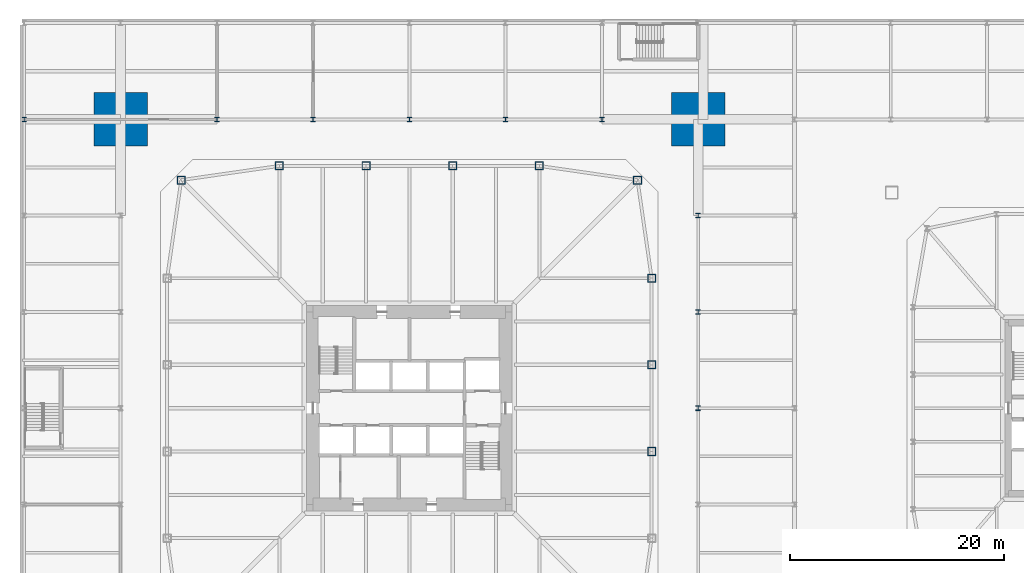
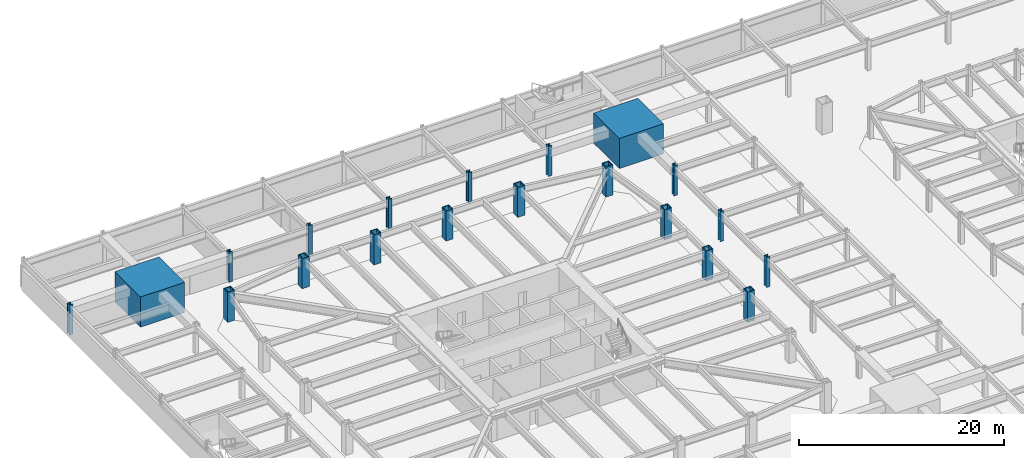
# One storey, part 2 of 17: 20 columns.
"""IFC4 building model written with IfcOpenShell, lengths in metres."""

import ifcopenshell
import ifcopenshell.guid

model = None  # the IFC model being written
_history = None  # IfcOwnerHistory: only IFC2X3 demands one
_inside = {}  # id of a spatial element -> (the spatial element, [elements in it])
_under = {}  # id of a project, library or spatial element -> (it, [spatial elements below it])
_declared = {}  # id of a project -> (the project, [libraries it declares])
_typed = {}  # id of a type object -> (the type object, [elements of that type])
_made_of = {}  # id of a material, layer set ... -> (it, [elements and type objects made of it])


def new_model(schema):
    """Start an empty IFC model of exactly this schema.

    Asked for "IFC4X3", IfcOpenShell would pick the latest addendum, in which some entities
    have other attributes; the version numbers below select the first issue.
    IFC2X3 requires an IfcOwnerHistory on every rooted entity: one is made here for all.
    """
    global model, _history
    if schema == "IFC4X3":
        model = ifcopenshell.file(schema_version=(4, 3, 0, 0))
    else:
        model = ifcopenshell.file(schema=schema)
    _inside.clear()
    _under.clear()
    _declared.clear()
    _typed.clear()
    _made_of.clear()
    _history = None
    if model.schema == "IFC2X3":
        org = make("IfcOrganization", Name="unknown")
        user = make(
            "IfcPersonAndOrganization",
            ThePerson=make("IfcPerson", FamilyName="unknown"),
            TheOrganization=org,
        )
        app = make(
            "IfcApplication",
            ApplicationDeveloper=org,
            Version="unknown",
            ApplicationFullName="unknown",
            ApplicationIdentifier="unknown",
        )
        _history = make(
            "IfcOwnerHistory",
            OwningUser=user,
            OwningApplication=app,
            ChangeAction="ADDED",
            CreationDate=0,
        )
    return model


def make(cls, **values):
    """One entity of the class cls with the attributes given. An attribute that is None is left unset."""
    return model.create_entity(
        cls, **{name: value for name, value in values.items() if value is not None}
    )


def rooted(cls, **values):
    """An entity with a GlobalId (a new one), such as an element, a storey or a relation."""
    return make(cls, GlobalId=ifcopenshell.guid.new(), OwnerHistory=_history, **values)


def si_unit(unit_type, name, prefix=None):
    """IfcSIUnit, for example si_unit("LENGTHUNIT", "METRE", prefix="MILLI")."""
    return make("IfcSIUnit", UnitType=unit_type, Prefix=prefix, Name=name)


def assignment(units):
    """IfcUnitAssignment: the units of a project."""
    return None if units is None else make("IfcUnitAssignment", Units=units)


def point(xyz):
    """IfcCartesianPoint."""
    return None if xyz is None else make("IfcCartesianPoint", Coordinates=xyz)


def direction(xyz):
    """IfcDirection."""
    return None if xyz is None else make("IfcDirection", DirectionRatios=xyz)


def frame(location, z_axis=None, x_axis=None):
    """IfcAxis2Placement3D, a coordinate frame: its origin and axes. An axis left out is left unset."""
    return make(
        "IfcAxis2Placement3D",
        Location=point(location),
        Axis=direction(z_axis),
        RefDirection=direction(x_axis),
    )


def frame_2d(location, x_axis=None):
    """IfcAxis2Placement2D, a coordinate frame in the plane: its origin and x axis."""
    return make(
        "IfcAxis2Placement2D", Location=point(location), RefDirection=direction(x_axis)
    )


def origin():
    """The frame at (0, 0, 0) with its axes left unset."""
    return frame((0.0, 0.0, 0.0))


def origin_2d():
    """The frame at (0, 0) in the plane with its x axis left unset."""
    return frame_2d((0.0, 0.0))


def place(relative_to, where):
    """IfcLocalPlacement: puts the frame where relative to a parent placement (None: the world)."""
    return make(
        "IfcLocalPlacement", PlacementRelTo=relative_to, RelativePlacement=where
    )


def context(
    kind, dimensions, precision=None, world=None, true_north=None, identifier=None
):
    """IfcGeometricRepresentationContext, for example the 3D "Model" context."""
    return make(
        "IfcGeometricRepresentationContext",
        ContextIdentifier=identifier,
        ContextType=kind,
        CoordinateSpaceDimension=dimensions,
        Precision=precision,
        WorldCoordinateSystem=world,
        TrueNorth=true_north,
    )


def subcontext(parent, identifier, kind, view, scale=None):
    """IfcGeometricRepresentationSubContext, for example "Body" below "Model"."""
    return make(
        "IfcGeometricRepresentationSubContext",
        ContextIdentifier=identifier,
        ContextType=kind,
        ParentContext=parent,
        TargetScale=scale,
        TargetView=view,
    )


def project(units=None, contexts=None):
    """IfcProject with its units and contexts."""
    return rooted(
        "IfcProject",
        Name="project",
        RepresentationContexts=contexts,
        UnitsInContext=assignment(units),
    )


def spatial(cls, under=None, at=None, **own):
    """A site, building, storey or space (cls), placed at a placement, below another one or the project."""
    s = rooted(cls, ObjectPlacement=at, **own)
    if under is not None:
        _under.setdefault(under.id(), (under, []))[1].append(s)
    return s


def profile(cls, at=None, kind="AREA", **sizes):
    """A parametric profile (cls). Its sizes go by their IFC names, for example OverallWidth=200.0."""
    return make(cls, ProfileType=kind, Position=at, **sizes)


def rectangle(**sizes):
    """IfcRectangleProfileDef."""
    return profile("IfcRectangleProfileDef", **sizes)


def hollow_rectangle(**sizes):
    """IfcRectangleHollowProfileDef."""
    return profile("IfcRectangleHollowProfileDef", **sizes)


def i_section(**sizes):
    """IfcIShapeProfileDef."""
    return profile("IfcIShapeProfileDef", **sizes)


def extrude(swept, where, along, depth):
    """IfcExtrudedAreaSolid: the profile swept, set in the frame where, extruded along a direction by depth."""
    return make(
        "IfcExtrudedAreaSolid",
        SweptArea=swept,
        Position=where,
        ExtrudedDirection=direction(along),
        Depth=depth,
    )


def shape(context_of_items, identifier, shape_type, items):
    """IfcShapeRepresentation: the items that make up one representation, for example the "Body"."""
    return make(
        "IfcShapeRepresentation",
        ContextOfItems=context_of_items,
        RepresentationIdentifier=identifier,
        RepresentationType=shape_type,
        Items=items,
    )


def material(Name=None, Category=None):
    """IfcMaterial."""
    return make("IfcMaterial", Name=Name, Category=Category)


def material_profile(
    of_material, cross_section, Name=None, Category=None, Priority=None
):
    """IfcMaterialProfile: a cross section and its material."""
    return make(
        "IfcMaterialProfile",
        Name=Name,
        Material=of_material,
        Profile=cross_section,
        Priority=Priority,
        Category=Category,
    )


def profile_set(profiles, Name=None, composite=None):
    """IfcMaterialProfileSet."""
    return make(
        "IfcMaterialProfileSet",
        Name=Name,
        MaterialProfiles=profiles,
        CompositeProfile=composite,
    )


def made_of(thing, what):
    """Note that an element or type object is made of a material, layer set ...; save() writes the relation."""
    if what is not None:
        _made_of.setdefault(what.id(), (what, []))[1].append(thing)
    return thing


def type_object(cls, material=None, **own):
    """A type object (cls), such as IfcWallType, which elements share."""
    return made_of(rooted(cls, **own), material)


def element(
    cls,
    number,
    at=None,
    inside=None,
    cuts=None,
    type_object=None,
    material=None,
    context=None,
    identifier="Body",
    shape_type=None,
    held_by="IfcProductDefinitionShape",
    body=None,
    shapes=None,
    **own,
):
    """One element of the class cls, such as IfcWall. Its Tag is "e" and its number.

    at: its placement. inside: the storey or other place that contains it. cuts: it is an
    opening in that element (IfcRelVoidsElement). A single representation is given by context,
    identifier, shape_type and body (its items); several are given by shapes. held_by: the class
    of the entity that holds the representations. save() writes the other relations.
    """
    e = rooted(cls, Tag="e%d" % number, ObjectPlacement=at, **own)
    if body is not None:
        shapes = [shape(context, identifier, shape_type, body)]
    if shapes is not None:
        e.Representation = make(held_by, Representations=shapes)
    if inside is not None:
        _inside.setdefault(inside.id(), (inside, []))[1].append(e)
    if cuts is not None:
        rooted(
            "IfcRelVoidsElement", RelatingBuildingElement=cuts, RelatedOpeningElement=e
        )
    if type_object is not None:
        _typed.setdefault(type_object.id(), (type_object, []))[1].append(e)
    return made_of(e, material)


def aggregate(whole, parts):
    """IfcRelAggregates: a whole, such as a stair, and the parts it consists of."""
    return rooted("IfcRelAggregates", RelatingObject=whole, RelatedObjects=parts)


def save(model, path):
    """Write the relations noted so far, then the file.

    IfcRelAggregates (storeys below a building ...), IfcRelContainedInSpatialStructure (elements
    in a storey), IfcRelDefinesByType, IfcRelAssociatesMaterial and IfcRelDeclares: one each for
    every whole, place, type object, material and project.
    """
    for whole, parts in _under.values():
        aggregate(whole, parts)
    for where, things in _inside.values():
        rooted(
            "IfcRelContainedInSpatialStructure",
            RelatedElements=things,
            RelatingStructure=where,
        )
    for kind, things in _typed.values():
        rooted("IfcRelDefinesByType", RelatedObjects=things, RelatingType=kind)
    for what, things in _made_of.values():
        rooted("IfcRelAssociatesMaterial", RelatedObjects=things, RelatingMaterial=what)
    for by, libraries in _declared.values():
        rooted("IfcRelDeclares", RelatingContext=by, RelatedDefinitions=libraries)
    model.write(path)


model = new_model("IFC4")

# Units and contexts
model_context = context("Model", 3, precision=1e-05, world=origin(), true_north=direction((0.0, 1.0)))
body_context = subcontext(model_context, "Body", "Model", "MODEL_VIEW")
ifc_project = project(units=[si_unit("LENGTHUNIT", "METRE"), si_unit("AREAUNIT", "SQUARE_METRE"), si_unit("VOLUMEUNIT", "CUBIC_METRE"), si_unit("PLANEANGLEUNIT", "RADIAN"), si_unit("MASSUNIT", "GRAM", prefix="KILO")], contexts=[model_context])

# Site, building, storey
site_placement = place(None, origin())
site = spatial("IfcSite", under=ifc_project, at=site_placement, CompositionType="ELEMENT")
building_placement = place(site_placement, origin())
building = spatial("IfcBuilding", under=site, at=building_placement, Name="Iwan Alto Co-Living Towers", CompositionType="ELEMENT")
storey_placement = place(building_placement, frame((0.0, 0.0, -3.60009765625)))
storey = spatial("IfcBuildingStorey", under=building, at=storey_placement, Name="B1", CompositionType="ELEMENT", Elevation=-3.60009765625)

# Columns
ifc_material_1 = material(Name="Steel ASTM A992 Gr 50", Category="steel")
ifc_material_profile_1 = material_profile(ifc_material_1, i_section(OverallWidth=0.411376953125, OverallDepth=0.434326171875, WebThickness=0.035888671875, FlangeThickness=0.057373046875, at=origin_2d()), Name="W14X311")
ifc_profile_set_1 = profile_set([ifc_material_profile_1], Name="Steel ASTM A992 Gr 50")
column_type_1 = type_object("IfcColumnType", Name="PODIUM COLUMN W14X311", PredefinedType="COLUMN", material=ifc_profile_set_1)
for number, where, z_axis, x_axis, name in (
    (1, (-36.0, 27.0, 0.0), (0.0, 0.0, 1.0), (1.0, 0.0, 0.0), "Podium column 1/H B1"),
    (2, (-18.0, 27.0, 0.0), (0.0, 0.0, 1.0), (1.0, 0.0, 0.0), "Podium column 3/H B1"),
    (3, (-9.0, 27.0, 0.0), (0.0, 0.0, 1.0), (1.0, 0.0, 0.0), "Podium column 4/H B1"),
    (4, (0.0, 27.0, 0.0), (0.0, 0.0, 1.0), (1.0, 0.0, 0.0), "Podium column 5/H B1"),
    (5, (9.0, 27.0, 0.0), (0.0, 0.0, 1.0), (1.0, 0.0, 0.0), "Podium column 6/H B1"),
    (6, (18.0, 27.0, 0.0), (0.0, 0.0, 1.0), (1.0, 0.0, 0.0), "Podium column 7/H B1"),
    (7, (27.0, 0.0, 0.0), (0.0, 0.0, 1.0), (1.0, 0.0, 0.0), "Podium column 8/E B1"),
    (8, (27.0, 9.0, 0.0), (0.0, 0.0, 1.0), (1.0, 0.0, 0.0), "Podium column 8/F B1"),
    (9, (27.0, 18.0, 0.0), (0.0, 0.0, 1.0), (1.0, 0.0, 0.0), "Podium column 8/G B1"),
):
    element("IfcColumn", number, at=place(storey_placement, frame(where, z_axis=z_axis, x_axis=x_axis)), inside=storey, type_object=column_type_1, Name=name, PredefinedType="COLUMN", context=body_context, shape_type="SweptSolid", body=[
        extrude(i_section(OverallWidth=0.411376953125, OverallDepth=0.434326171875, WebThickness=0.035888671875, FlangeThickness=0.057373046875, at=origin_2d()), origin(), (0.0, 0.0, 1.0), 3.60009765625),
    ])
ifc_material_2 = material(Name="Concrete f'c 70 MPa", Category="concrete")
ifc_material_profile_2 = material_profile(ifc_material_2, rectangle(XDim=5.0, YDim=5.0, at=origin_2d()), Name="RC 5000X5000")
ifc_profile_set_2 = profile_set([ifc_material_profile_2], Name="Concrete f'c 70 MPa")
column_type_2 = type_object("IfcColumnType", Name="T1 MEGA COLUMN RC 5000X5000", PredefinedType="COLUMN", material=ifc_profile_set_2)
for number, where, z_axis, x_axis, name in (
    (10, (27.0, 27.0, 0.0), (0.0, 0.0, 1.0), (1.0, 0.0, 0.0), "T1 mega column NE B1"),
    (11, (-27.0, 27.0, 0.0), (0.0, 0.0, 1.0), (1.0, 0.0, 0.0), "T1 mega column NW B1"),
):
    element("IfcColumn", number, at=place(storey_placement, frame(where, z_axis=z_axis, x_axis=x_axis)), inside=storey, type_object=column_type_2, Name=name, PredefinedType="COLUMN", context=body_context, shape_type="SweptSolid", body=[
        extrude(rectangle(XDim=5.0, YDim=5.0, at=origin_2d()), origin(), (0.0, 0.0, 1.0), 3.60009765625),
        extrude(i_section(OverallWidth=0.4775390625, OverallDepth=0.599365234375, WebThickness=0.10009765625, FlangeThickness=0.139892578125, at=origin_2d()), origin(), (0.0, 0.0, 1.0), 3.60009765625),
    ])
ifc_material_3 = material(Name="Steel ASTM A572 Gr 50", Category="steel")
ifc_material_profile_3 = material_profile(ifc_material_3, hollow_rectangle(XDim=0.800048828125, YDim=0.800048828125, WallThickness=0.090087890625, at=origin_2d()), Name="BOX 800X800X90")
ifc_profile_set_3 = profile_set([ifc_material_profile_3], Name="Steel ASTM A572 Gr 50")
column_type_3 = type_object("IfcColumnType", Name="T1 RING COLUMN BOX 800X800X90", PredefinedType="COLUMN", material=ifc_profile_set_3)
for number, where, z_axis, x_axis, name in (
    (12, (22.64990234375, -4.050048828125, 0.0), (0.0, 0.0, 1.0), (1.0, 0.0, 0.0), "T1 ring column E2 B1"),
    (13, (22.64990234375, 4.050048828125, 0.0), (0.0, 0.0, 1.0), (1.0, 0.0, 0.0), "T1 ring column E3 B1"),
    (14, (22.64990234375, 12.14990234375, 0.0), (0.0, 0.0, 1.0), (1.0, 0.0, 0.0), "T1 ring column E4 B1"),
    (15, (21.32568359375, 21.32568359375, 0.0), (0.0, 0.0, 1.0), (1.0, 0.0, 0.0), "T1 ring column CNE B1"),
    (16, (12.14990234375, 22.64990234375, 0.0), (0.0, 0.0, 1.0), (1.0, 0.0, 0.0), "T1 ring column N1 B1"),
    (17, (4.050048828125, 22.64990234375, 0.0), (0.0, 0.0, 1.0), (1.0, 0.0, 0.0), "T1 ring column N2 B1"),
    (18, (-4.050048828125, 22.64990234375, 0.0), (0.0, 0.0, 1.0), (1.0, 0.0, 0.0), "T1 ring column N3 B1"),
    (19, (-12.14990234375, 22.64990234375, 0.0), (0.0, 0.0, 1.0), (1.0, 0.0, 0.0), "T1 ring column N4 B1"),
    (20, (-21.32568359375, 21.32568359375, 0.0), (0.0, 0.0, 1.0), (1.0, 0.0, 0.0), "T1 ring column CNW B1"),
):
    element("IfcColumn", number, at=place(storey_placement, frame(where, z_axis=z_axis, x_axis=x_axis)), inside=storey, type_object=column_type_3, Name=name, PredefinedType="COLUMN", context=body_context, shape_type="SweptSolid", body=[
        extrude(hollow_rectangle(XDim=0.800048828125, YDim=0.800048828125, WallThickness=0.090087890625, at=origin_2d()), origin(), (0.0, 0.0, 1.0), 3.60009765625),
    ])

save(model, "model.ifc")
